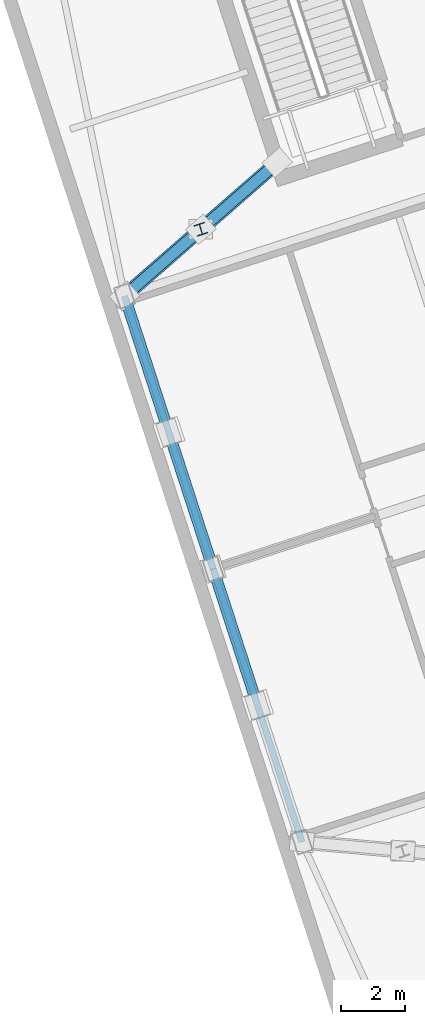
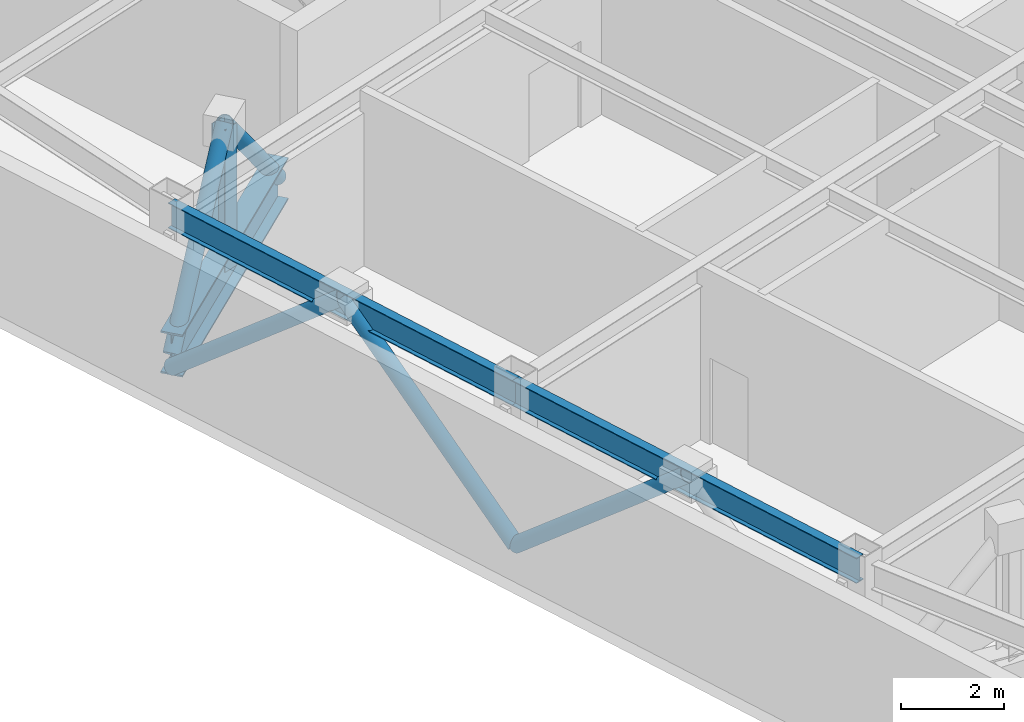
# One storey, part 4 of 17: 6 members, 3 beams.
"""IFC4 building model written with IfcOpenShell, lengths in metres."""

from ifc_helpers import new_model, si_unit, direction, frame, origin, origin_2d, place, context, subcontext, project, spatial, hollow_circle, i_section, extrude, material, material_profile, profile_set, type_object, element, save


model = new_model("IFC4")

# Units and contexts
model_context = context("Model", 3, precision=1e-05, world=origin(), true_north=direction((0.0, 1.0)))
body_context = subcontext(model_context, "Body", "Model", "MODEL_VIEW")
ifc_project = project(units=[si_unit("LENGTHUNIT", "METRE"), si_unit("AREAUNIT", "SQUARE_METRE"), si_unit("VOLUMEUNIT", "CUBIC_METRE"), si_unit("PLANEANGLEUNIT", "RADIAN"), si_unit("MASSUNIT", "GRAM", prefix="KILO")], contexts=[model_context])

# Site, building, storey
site_placement = place(None, origin())
site = spatial("IfcSite", under=ifc_project, at=site_placement, CompositionType="ELEMENT")
building_placement = place(site_placement, origin())
building = spatial("IfcBuilding", under=site, at=building_placement, Name="Qiaolan Cultural Towers", CompositionType="ELEMENT")
storey_placement = place(building_placement, frame((0.0, 0.0, 230.0)))
storey = spatial("IfcBuildingStorey", under=building, at=storey_placement, Name="L62", CompositionType="ELEMENT", Elevation=230.0)

# Beams
ifc_material_1 = material(Name="Steel Q390GJB", Category="steel")
ifc_material_profile_1 = material_profile(ifc_material_1, i_section(OverallWidth=0.449951171875, OverallDepth=1.0, WebThickness=0.02392578125, FlangeThickness=0.0400390625, at=origin_2d()), Name="BH1000x450x24x40")
ifc_profile_set_1 = profile_set([ifc_material_profile_1], Name="Steel Q390GJB")
beam_type_1 = type_object("IfcBeamType", Name="BM-BH1000x450x24x40", PredefinedType="BEAM", material=ifc_profile_set_1)
beam_placement = place(storey_placement, frame((79.21826171875, 42.588623046875, 0.5), z_axis=(-0.75310897105, -0.657895795491, 0.0), x_axis=(0.657895795491, -0.75310897105, 0.0)))
element("IfcBeam", 1, at=beam_placement, inside=storey, type_object=beam_type_1, Name="L62 T2 Outrigger Bottom Chord Girder WN", PredefinedType="BEAM", context=body_context, shape_type="SweptSolid", body=[
    extrude(i_section(OverallWidth=0.449951171875, OverallDepth=1.0, WebThickness=0.02392578125, FlangeThickness=0.0400390625, at=origin_2d()), origin(), (0.0, 0.0, 1.0), 6.361572265625),
])
ifc_material_2 = material(Name="Steel Q355B", Category="steel")
ifc_material_profile_2 = material_profile(ifc_material_2, i_section(OverallWidth=0.199951171875, OverallDepth=0.60009765625, WebThickness=0.010986328125, FlangeThickness=0.01708984375, at=origin_2d()), Name="HN600x200x11x17")
ifc_profile_set_2 = profile_set([ifc_material_profile_2], Name="Steel Q355B")
beam_type_2 = type_object("IfcBeamType", Name="BM-SPD-HN600x200x11x17", PredefinedType="SPANDREL", material=ifc_profile_set_2)
for number, where, z_axis, x_axis, name in (
    (2, (74.42724609375, 38.4033203125, 3.840087890625), (0.309000197986, -0.951061973609, 0.0), (0.951061973609, 0.309000197986, 0.0), "L62 T2 Perimeter Spandrel Beam 10"),
    (3, (77.208251953125, 29.84375, 3.840087890625), (0.309024734286, -0.951054001411, 0.0), (0.951054001411, 0.309024734286, 0.0), "L62 T2 Perimeter Spandrel Beam 11"),
):
    element("IfcBeam", number, at=place(storey_placement, frame(where, z_axis=z_axis, x_axis=x_axis)), inside=storey, type_object=beam_type_2, Name=name, PredefinedType="SPANDREL", context=body_context, shape_type="SweptSolid", body=[
        extrude(i_section(OverallWidth=0.199951171875, OverallDepth=0.60009765625, WebThickness=0.010986328125, FlangeThickness=0.01708984375, at=origin_2d()), origin(), (0.0, 0.0, 1.0), 9.0),
    ])

# Members
ifc_material_3 = material(Name="Steel Q355B", Category="steel")
ifc_material_profile_3 = material_profile(ifc_material_3, hollow_circle(Radius=0.175537109375, WallThickness=0.01611328125, at=origin_2d()), Name="CHS351x16")
ifc_profile_set_3 = profile_set([ifc_material_profile_3], Name="Steel Q355B")
member_type_1 = type_object("IfcMemberType", Name="MBR-BRC-CHS351x16", PredefinedType="BRACE", material=ifc_profile_set_3)
member_1_placement = place(storey_placement, frame((79.21826171875, 42.588623046875, 0.5), z_axis=(-0.516127426764, -0.450901376093, 0.728217294754), x_axis=(0.657917561032, -0.753089956702, 0.0)))
element("IfcMember", 4, at=member_1_placement, inside=storey, type_object=member_type_1, Name="L62 T2 Outrigger Truss Diagonal WN-1", PredefinedType="BRACE", context=body_context, shape_type="SweptSolid", body=[
    extrude(hollow_circle(Radius=0.175537109375, WallThickness=0.01611328125, at=origin_2d()), origin(), (0.0, 0.0, 1.0), 4.641357421875),
])
member_2_placement = place(storey_placement, frame((76.82275390625, 40.495849609375, 3.8798828125), z_axis=(-0.516139668078, -0.450859467498, -0.728234566334), x_axis=(0.6578740283, -0.753127985729, 0.0)))
element("IfcMember", 5, at=member_2_placement, inside=storey, type_object=member_type_1, Name="L62 T2 Outrigger Truss Diagonal WN-2", PredefinedType="BRACE", context=body_context, shape_type="SweptSolid", body=[
    extrude(hollow_circle(Radius=0.175537109375, WallThickness=0.01611328125, at=origin_2d()), origin(), (0.0, 0.0, 1.0), 4.64111328125),
])
for number, where, z_axis, x_axis, name in (
    (6, (78.598876953125, 25.56396484375, 3.97998046875), (-0.236621947773, 0.728227307666, -0.643191295185), (-0.951054001411, -0.309024734286, 0.0), "L62 T2 Perimeter Belt Truss W1-B"),
    (7, (77.208251953125, 29.84375, 0.199951171875), (-0.236621947773, 0.728227307666, 0.643191295185), (-0.951054001411, -0.309024734286, 0.0), "L62 T2 Perimeter Belt Truss W2-A"),
    (8, (75.817626953125, 34.12353515625, 3.97998046875), (-0.236582731342, 0.728234465396, -0.643197617098), (-0.951069945308, -0.308975661068, 0.0), "L62 T2 Perimeter Belt Truss W2-B"),
):
    element("IfcMember", number, at=place(storey_placement, frame(where, z_axis=z_axis, x_axis=x_axis)), inside=storey, type_object=member_type_1, Name=name, PredefinedType="BRACE", context=body_context, shape_type="SweptSolid", body=[
        extrude(hollow_circle(Radius=0.175537109375, WallThickness=0.01611328125, at=origin_2d()), origin(), (0.0, 0.0, 1.0), 5.876953125),
    ])
ifc_material_4 = material(Name="Steel Q355B", Category="steel")
ifc_material_profile_4 = material_profile(ifc_material_4, i_section(OverallWidth=0.35009765625, OverallDepth=0.35009765625, WebThickness=0.011962890625, FlangeThickness=0.01904296875, at=origin_2d()), Name="HW350x350x12x19")
ifc_profile_set_4 = profile_set([ifc_material_profile_4], Name="Steel Q355B")
member_type_2 = type_object("IfcMemberType", Name="MBR-POST-HW350x350x12x19", PredefinedType="STUD", material=ifc_profile_set_4)
member_3_placement = place(storey_placement, frame((76.82275390625, 40.495849609375, 0.5), z_axis=(0.0, 0.0, 1.0), x_axis=(0.951056516295, 0.309016994375, 0.0)))
element("IfcMember", 9, at=member_3_placement, inside=storey, type_object=member_type_2, Name="L62 T2 Outrigger King Web WN", PredefinedType="STUD", context=body_context, shape_type="SweptSolid", body=[
    extrude(i_section(OverallWidth=0.35009765625, OverallDepth=0.35009765625, WebThickness=0.011962890625, FlangeThickness=0.01904296875, at=origin_2d()), origin(), (0.0, 0.0, 1.0), 3.3798828125),
])

save(model, "model.ifc")
